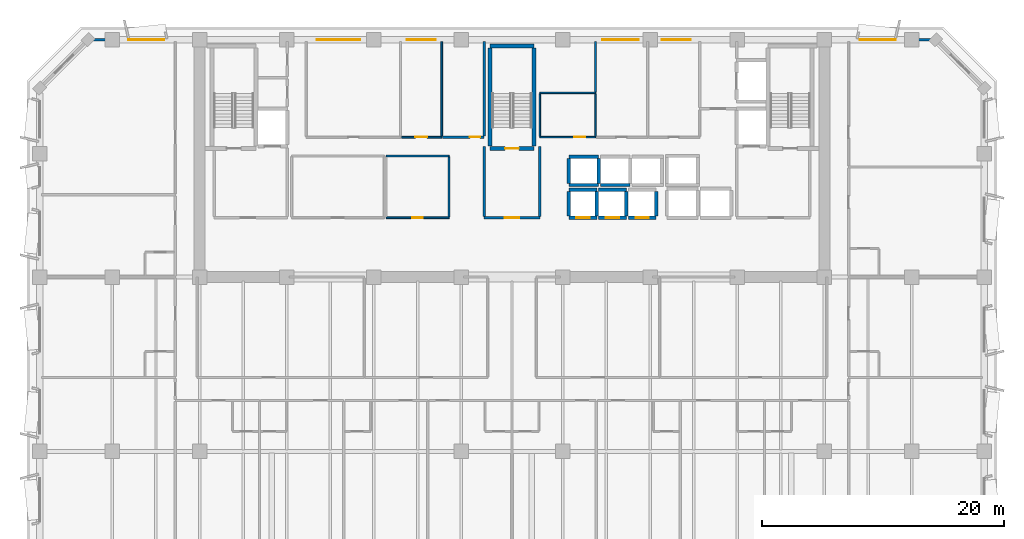
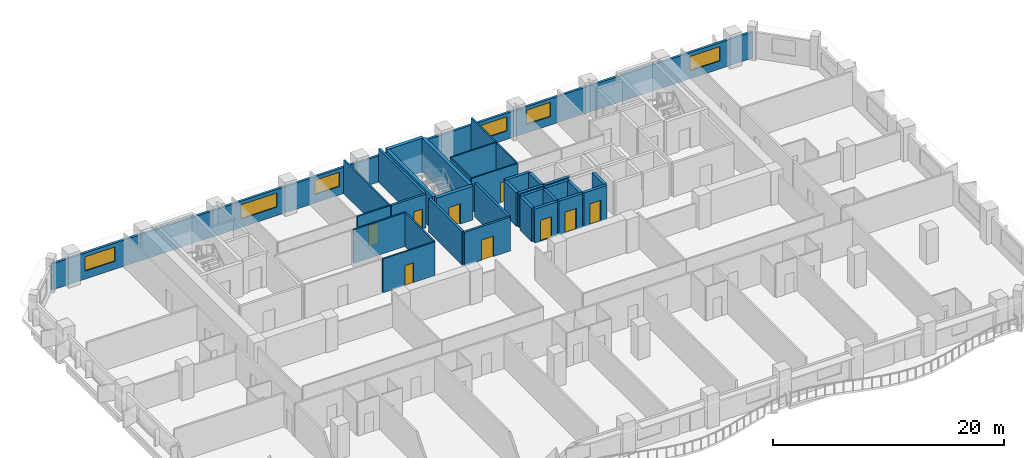
# One storey, part 7 of 14: 34 walls, 9 doors, 6 windows, 15 openings.
"""IFC4 building model written with IfcOpenShell, lengths in metres."""

import ifcopenshell
import ifcopenshell.guid

model = None  # the IFC model being written
_history = None  # IfcOwnerHistory: only IFC2X3 demands one
_inside = {}  # id of a spatial element -> (the spatial element, [elements in it])
_under = {}  # id of a project, library or spatial element -> (it, [spatial elements below it])
_declared = {}  # id of a project -> (the project, [libraries it declares])
_typed = {}  # id of a type object -> (the type object, [elements of that type])
_made_of = {}  # id of a material, layer set ... -> (it, [elements and type objects made of it])


def new_model(schema):
    """Start an empty IFC model of exactly this schema.

    Asked for "IFC4X3", IfcOpenShell would pick the latest addendum, in which some entities
    have other attributes; the version numbers below select the first issue.
    IFC2X3 requires an IfcOwnerHistory on every rooted entity: one is made here for all.
    """
    global model, _history
    if schema == "IFC4X3":
        model = ifcopenshell.file(schema_version=(4, 3, 0, 0))
    else:
        model = ifcopenshell.file(schema=schema)
    _inside.clear()
    _under.clear()
    _declared.clear()
    _typed.clear()
    _made_of.clear()
    _history = None
    if model.schema == "IFC2X3":
        org = make("IfcOrganization", Name="unknown")
        user = make(
            "IfcPersonAndOrganization",
            ThePerson=make("IfcPerson", FamilyName="unknown"),
            TheOrganization=org,
        )
        app = make(
            "IfcApplication",
            ApplicationDeveloper=org,
            Version="unknown",
            ApplicationFullName="unknown",
            ApplicationIdentifier="unknown",
        )
        _history = make(
            "IfcOwnerHistory",
            OwningUser=user,
            OwningApplication=app,
            ChangeAction="ADDED",
            CreationDate=0,
        )
    return model


def make(cls, **values):
    """One entity of the class cls with the attributes given. An attribute that is None is left unset."""
    return model.create_entity(
        cls, **{name: value for name, value in values.items() if value is not None}
    )


def rooted(cls, **values):
    """An entity with a GlobalId (a new one), such as an element, a storey or a relation."""
    return make(cls, GlobalId=ifcopenshell.guid.new(), OwnerHistory=_history, **values)


def si_unit(unit_type, name, prefix=None):
    """IfcSIUnit, for example si_unit("LENGTHUNIT", "METRE", prefix="MILLI")."""
    return make("IfcSIUnit", UnitType=unit_type, Prefix=prefix, Name=name)


def assignment(units):
    """IfcUnitAssignment: the units of a project."""
    return None if units is None else make("IfcUnitAssignment", Units=units)


def point(xyz):
    """IfcCartesianPoint."""
    return None if xyz is None else make("IfcCartesianPoint", Coordinates=xyz)


def direction(xyz):
    """IfcDirection."""
    return None if xyz is None else make("IfcDirection", DirectionRatios=xyz)


def frame(location, z_axis=None, x_axis=None):
    """IfcAxis2Placement3D, a coordinate frame: its origin and axes. An axis left out is left unset."""
    return make(
        "IfcAxis2Placement3D",
        Location=point(location),
        Axis=direction(z_axis),
        RefDirection=direction(x_axis),
    )


def frame_2d(location, x_axis=None):
    """IfcAxis2Placement2D, a coordinate frame in the plane: its origin and x axis."""
    return make(
        "IfcAxis2Placement2D", Location=point(location), RefDirection=direction(x_axis)
    )


def origin():
    """The frame at (0, 0, 0) with its axes left unset."""
    return frame((0.0, 0.0, 0.0))


def place(relative_to, where):
    """IfcLocalPlacement: puts the frame where relative to a parent placement (None: the world)."""
    return make(
        "IfcLocalPlacement", PlacementRelTo=relative_to, RelativePlacement=where
    )


def context(
    kind, dimensions, precision=None, world=None, true_north=None, identifier=None
):
    """IfcGeometricRepresentationContext, for example the 3D "Model" context."""
    return make(
        "IfcGeometricRepresentationContext",
        ContextIdentifier=identifier,
        ContextType=kind,
        CoordinateSpaceDimension=dimensions,
        Precision=precision,
        WorldCoordinateSystem=world,
        TrueNorth=true_north,
    )


def subcontext(parent, identifier, kind, view, scale=None):
    """IfcGeometricRepresentationSubContext, for example "Body" below "Model"."""
    return make(
        "IfcGeometricRepresentationSubContext",
        ContextIdentifier=identifier,
        ContextType=kind,
        ParentContext=parent,
        TargetScale=scale,
        TargetView=view,
    )


def project(units=None, contexts=None):
    """IfcProject with its units and contexts."""
    return rooted(
        "IfcProject",
        Name="project",
        RepresentationContexts=contexts,
        UnitsInContext=assignment(units),
    )


def spatial(cls, under=None, at=None, **own):
    """A site, building, storey or space (cls), placed at a placement, below another one or the project."""
    s = rooted(cls, ObjectPlacement=at, **own)
    if under is not None:
        _under.setdefault(under.id(), (under, []))[1].append(s)
    return s


def profile(cls, at=None, kind="AREA", **sizes):
    """A parametric profile (cls). Its sizes go by their IFC names, for example OverallWidth=200.0."""
    return make(cls, ProfileType=kind, Position=at, **sizes)


def rectangle(**sizes):
    """IfcRectangleProfileDef."""
    return profile("IfcRectangleProfileDef", **sizes)


def extrude(swept, where, along, depth):
    """IfcExtrudedAreaSolid: the profile swept, set in the frame where, extruded along a direction by depth."""
    return make(
        "IfcExtrudedAreaSolid",
        SweptArea=swept,
        Position=where,
        ExtrudedDirection=direction(along),
        Depth=depth,
    )


def shape(context_of_items, identifier, shape_type, items):
    """IfcShapeRepresentation: the items that make up one representation, for example the "Body"."""
    return make(
        "IfcShapeRepresentation",
        ContextOfItems=context_of_items,
        RepresentationIdentifier=identifier,
        RepresentationType=shape_type,
        Items=items,
    )


def material(Name=None, Category=None):
    """IfcMaterial."""
    return make("IfcMaterial", Name=Name, Category=Category)


def layer(
    of_material, thickness, ventilated=None, Name=None, Category=None, Priority=None
):
    """IfcMaterialLayer: one layer of a wall or slab, of a material (None: an air gap)."""
    return make(
        "IfcMaterialLayer",
        Material=of_material,
        LayerThickness=thickness,
        IsVentilated=ventilated,
        Name=Name,
        Category=Category,
        Priority=Priority,
    )


def layer_set(layers, Name=None):
    """IfcMaterialLayerSet."""
    return make("IfcMaterialLayerSet", MaterialLayers=layers, LayerSetName=Name)


def made_of(thing, what):
    """Note that an element or type object is made of a material, layer set ...; save() writes the relation."""
    if what is not None:
        _made_of.setdefault(what.id(), (what, []))[1].append(thing)
    return thing


def type_object(cls, material=None, **own):
    """A type object (cls), such as IfcWallType, which elements share."""
    return made_of(rooted(cls, **own), material)


def element(
    cls,
    number,
    at=None,
    inside=None,
    cuts=None,
    type_object=None,
    material=None,
    context=None,
    identifier="Body",
    shape_type=None,
    held_by="IfcProductDefinitionShape",
    body=None,
    shapes=None,
    **own,
):
    """One element of the class cls, such as IfcWall. Its Tag is "e" and its number.

    at: its placement. inside: the storey or other place that contains it. cuts: it is an
    opening in that element (IfcRelVoidsElement). A single representation is given by context,
    identifier, shape_type and body (its items); several are given by shapes. held_by: the class
    of the entity that holds the representations. save() writes the other relations.
    """
    e = rooted(cls, Tag="e%d" % number, ObjectPlacement=at, **own)
    if body is not None:
        shapes = [shape(context, identifier, shape_type, body)]
    if shapes is not None:
        e.Representation = make(held_by, Representations=shapes)
    if inside is not None:
        _inside.setdefault(inside.id(), (inside, []))[1].append(e)
    if cuts is not None:
        rooted(
            "IfcRelVoidsElement", RelatingBuildingElement=cuts, RelatedOpeningElement=e
        )
    if type_object is not None:
        _typed.setdefault(type_object.id(), (type_object, []))[1].append(e)
    return made_of(e, material)


def fill(opening, filler):
    """IfcRelFillsElement: the door or window that sits in an opening."""
    return rooted(
        "IfcRelFillsElement",
        RelatingOpeningElement=opening,
        RelatedBuildingElement=filler,
    )


def aggregate(whole, parts):
    """IfcRelAggregates: a whole, such as a stair, and the parts it consists of."""
    return rooted("IfcRelAggregates", RelatingObject=whole, RelatedObjects=parts)


def save(model, path):
    """Write the relations noted so far, then the file.

    IfcRelAggregates (storeys below a building ...), IfcRelContainedInSpatialStructure (elements
    in a storey), IfcRelDefinesByType, IfcRelAssociatesMaterial and IfcRelDeclares: one each for
    every whole, place, type object, material and project.
    """
    for whole, parts in _under.values():
        aggregate(whole, parts)
    for where, things in _inside.values():
        rooted(
            "IfcRelContainedInSpatialStructure",
            RelatedElements=things,
            RelatingStructure=where,
        )
    for kind, things in _typed.values():
        rooted("IfcRelDefinesByType", RelatedObjects=things, RelatingType=kind)
    for what, things in _made_of.values():
        rooted("IfcRelAssociatesMaterial", RelatedObjects=things, RelatingMaterial=what)
    for by, libraries in _declared.values():
        rooted("IfcRelDeclares", RelatingContext=by, RelatedDefinitions=libraries)
    model.write(path)


model = new_model("IFC4")

# Units and contexts
model_context = context("Model", 3, precision=1e-05, world=origin(), true_north=direction((0.0, 1.0)))
body_context = subcontext(model_context, "Body", "Model", "MODEL_VIEW")
ifc_project = project(units=[si_unit("LENGTHUNIT", "METRE"), si_unit("AREAUNIT", "SQUARE_METRE"), si_unit("VOLUMEUNIT", "CUBIC_METRE"), si_unit("PLANEANGLEUNIT", "RADIAN"), si_unit("MASSUNIT", "GRAM", prefix="KILO")], contexts=[model_context])

# Site, building, storey
site_placement = place(None, origin())
site = spatial("IfcSite", under=ifc_project, at=site_placement, CompositionType="ELEMENT")
building_placement = place(site_placement, origin())
building = spatial("IfcBuilding", under=site, at=building_placement, Name="Kaelvorn Grand Hotel", CompositionType="ELEMENT")
storey_placement = place(building_placement, frame((0.0, 0.0, 169.550048828125)))
storey = spatial("IfcBuildingStorey", under=building, at=storey_placement, Name="L41", CompositionType="ELEMENT", Elevation=169.550048828125)

# Wall, openings, windows
ifc_material_1 = material(Name="Concrete C40/50", Category="concrete")
ifc_layer_1 = layer(ifc_material_1, 0.239990234375)
ifc_layer_set_1 = layer_set([ifc_layer_1], Name="Concrete C40/50")
wall_type_1 = type_object("IfcWallType", Name="WL-EXT-240-C40", PredefinedType="SOLIDWALL", material=ifc_layer_set_1)
wall_1_placement = place(storey_placement, frame((77.0, 49.0, 0.0), z_axis=(0.0, 0.0, 1.0), x_axis=(-1.0, 0.0, 0.0)))
wall_1 = element("IfcWall", 1, at=wall_1_placement, inside=storey, type_object=wall_type_1, Name="L41 Exterior Architectural Concrete Wall 05", PredefinedType="SOLIDWALL", context=body_context, shape_type="SweptSolid", body=[
    extrude(rectangle(XDim=70.0, YDim=0.239990234375, at=frame_2d((35.0, 0.0))), origin(), (0.0, 0.0, 1.0), 2.760009765625),
])
opening_1_placement = place(wall_1_placement, frame((63.699951171875, 0.0, 0.85009765625)))
opening_1 = element("IfcOpeningElement", 2, at=opening_1_placement, cuts=wall_1, Name="Opening W5", PredefinedType="OPENING", context=body_context, shape_type="SweptSolid", body=[
    extrude(rectangle(XDim=3.0, YDim=1.5, at=frame_2d((1.5, 0.75))), frame((0.0, 0.1298828125, 0.0), z_axis=(0.0, -1.0, 0.0), x_axis=(1.0, 0.0, 0.0)), (0.0, 0.0, 1.0), 0.260009765625),
])
opening_2_placement = place(wall_1_placement, frame((3.300048828125, 0.0, 0.85009765625)))
opening_2 = element("IfcOpeningElement", 3, at=opening_2_placement, cuts=wall_1, Name="Opening W5", PredefinedType="OPENING", context=body_context, shape_type="SweptSolid", body=[
    extrude(rectangle(XDim=3.0, YDim=1.5, at=frame_2d((1.5, 0.75))), frame((0.0, 0.1298828125, 0.0), z_axis=(0.0, -1.0, 0.0), x_axis=(1.0, 0.0, 0.0)), (0.0, 0.0, 1.0), 0.260009765625),
])
opening_3_placement = place(wall_1_placement, frame((47.514892578125, 0.0, 0.89990234375)))
opening_3 = element("IfcOpeningElement", 4, at=opening_3_placement, cuts=wall_1, Name="Opening W3", PredefinedType="OPENING", context=body_context, shape_type="SweptSolid", body=[
    extrude(rectangle(XDim=3.60009765625, YDim=1.5, at=frame_2d((1.800048828125, 0.75))), frame((0.0, 0.1298828125, 0.0), z_axis=(0.0, -1.0, 0.0), x_axis=(1.0, 0.0, 0.0)), (0.0, 0.0, 1.0), 0.260009765625),
])
opening_4_placement = place(wall_1_placement, frame((41.300048828125, 0.0, 0.89990234375)))
opening_4 = element("IfcOpeningElement", 5, at=opening_4_placement, cuts=wall_1, Name="Opening W6", PredefinedType="OPENING", context=body_context, shape_type="SweptSolid", body=[
    extrude(rectangle(XDim=2.39990234375, YDim=1.5, at=frame_2d((1.199951171875, 0.75))), frame((0.0, 0.1298828125, 0.0), z_axis=(0.0, -1.0, 0.0), x_axis=(1.0, 0.0, 0.0)), (0.0, 0.0, 1.0), 0.260009765625),
])
opening_5_placement = place(wall_1_placement, frame((24.550048828125, 0.0, 0.89990234375)))
opening_5 = element("IfcOpeningElement", 6, at=opening_5_placement, cuts=wall_1, Name="Opening W5", PredefinedType="OPENING", context=body_context, shape_type="SweptSolid", body=[
    extrude(rectangle(XDim=3.0, YDim=1.5, at=frame_2d((1.5, 0.75))), frame((0.0, 0.1298828125, 0.0), z_axis=(0.0, -1.0, 0.0), x_axis=(1.0, 0.0, 0.0)), (0.0, 0.0, 1.0), 0.260009765625),
])
opening_6_placement = place(wall_1_placement, frame((20.235107421875, 0.0, 0.89990234375)))
opening_6 = element("IfcOpeningElement", 7, at=opening_6_placement, cuts=wall_1, Name="Opening W6", PredefinedType="OPENING", context=body_context, shape_type="SweptSolid", body=[
    extrude(rectangle(XDim=2.39990234375, YDim=1.5, at=frame_2d((1.199951171875, 0.75))), frame((0.0, 0.1298828125, 0.0), z_axis=(0.0, -1.0, 0.0), x_axis=(1.0, 0.0, 0.0)), (0.0, 0.0, 1.0), 0.260009765625),
])
ifc_material_2 = material(Name="Laminated Low-E Glass", Category="glass")
window_type_1 = type_object("IfcWindowType", Name="WIN-NTH-2400x1500", PartitioningType="SINGLE_PANEL", PredefinedType="WINDOW", material=ifc_material_2)
window_1_placement = place(opening_4_placement, origin())
window_1 = element("IfcWindow", 8, at=window_1_placement, inside=storey, type_object=window_type_1, Name="L41 North Core Clerestory Ribbon Window NC04", OverallHeight=1.5, OverallWidth=2.39990234375, PartitioningType="SINGLE_PANEL", PredefinedType="WINDOW", context=body_context, shape_type="SweptSolid", body=[
    extrude(rectangle(XDim=2.39990234375, YDim=1.5, at=frame_2d((1.199951171875, 0.75))), frame((0.0, 0.030029296875, 0.0), z_axis=(0.0, -1.0, 0.0), x_axis=(1.0, 0.0, 0.0)), (0.0, 0.0, 1.0), 0.06005859375),
])
fill(opening_4, window_1)
window_2_placement = place(opening_6_placement, origin())
window_2 = element("IfcWindow", 9, at=window_2_placement, inside=storey, type_object=window_type_1, Name="L41 North Core Clerestory Ribbon Window NC06", OverallHeight=1.5, OverallWidth=2.39990234375, PartitioningType="SINGLE_PANEL", PredefinedType="WINDOW", context=body_context, shape_type="SweptSolid", body=[
    extrude(rectangle(XDim=2.39990234375, YDim=1.5, at=frame_2d((1.199951171875, 0.75))), frame((0.0, 0.030029296875, 0.0), z_axis=(0.0, -1.0, 0.0), x_axis=(1.0, 0.0, 0.0)), (0.0, 0.0, 1.0), 0.06005859375),
])
fill(opening_6, window_2)
window_type_2 = type_object("IfcWindowType", Name="WIN-NTH-3000x1500", PartitioningType="SINGLE_PANEL", PredefinedType="WINDOW", material=ifc_material_2)
window_3_placement = place(opening_1_placement, origin())
window_3 = element("IfcWindow", 10, at=window_3_placement, inside=storey, type_object=window_type_2, Name="L41 North Wing Ribbon Window NW01", OverallHeight=1.5, OverallWidth=3.0, PartitioningType="SINGLE_PANEL", PredefinedType="WINDOW", context=body_context, shape_type="SweptSolid", body=[
    extrude(rectangle(XDim=3.0, YDim=1.5, at=frame_2d((1.5, 0.75))), frame((0.0, 0.030029296875, 0.0), z_axis=(0.0, -1.0, 0.0), x_axis=(1.0, 0.0, 0.0)), (0.0, 0.0, 1.0), 0.06005859375),
])
fill(opening_1, window_3)
window_4_placement = place(opening_2_placement, origin())
window_4 = element("IfcWindow", 11, at=window_4_placement, inside=storey, type_object=window_type_2, Name="L41 North Wing Ribbon Window NW02", OverallHeight=1.5, OverallWidth=3.0, PartitioningType="SINGLE_PANEL", PredefinedType="WINDOW", context=body_context, shape_type="SweptSolid", body=[
    extrude(rectangle(XDim=3.0, YDim=1.5, at=frame_2d((1.5, 0.75))), frame((0.0, 0.030029296875, 0.0), z_axis=(0.0, -1.0, 0.0), x_axis=(1.0, 0.0, 0.0)), (0.0, 0.0, 1.0), 0.06005859375),
])
fill(opening_2, window_4)
window_5_placement = place(opening_5_placement, origin())
window_5 = element("IfcWindow", 12, at=window_5_placement, inside=storey, type_object=window_type_2, Name="L41 North Core Clerestory Ribbon Window NC05", OverallHeight=1.5, OverallWidth=3.0, PartitioningType="SINGLE_PANEL", PredefinedType="WINDOW", context=body_context, shape_type="SweptSolid", body=[
    extrude(rectangle(XDim=3.0, YDim=1.5, at=frame_2d((1.5, 0.75))), frame((0.0, 0.030029296875, 0.0), z_axis=(0.0, -1.0, 0.0), x_axis=(1.0, 0.0, 0.0)), (0.0, 0.0, 1.0), 0.06005859375),
])
fill(opening_5, window_5)
window_type_3 = type_object("IfcWindowType", Name="WIN-RIB-3600x1750", PartitioningType="SINGLE_PANEL", PredefinedType="WINDOW", material=ifc_material_2)
window_6_placement = place(opening_3_placement, origin())
window_6 = element("IfcWindow", 13, at=window_6_placement, inside=storey, type_object=window_type_3, Name="L41 North Core Clerestory Ribbon Window NC03", OverallHeight=1.5, OverallWidth=3.60009765625, PartitioningType="SINGLE_PANEL", PredefinedType="WINDOW", context=body_context, shape_type="SweptSolid", body=[
    extrude(rectangle(XDim=3.60009765625, YDim=1.5, at=frame_2d((1.800048828125, 0.75))), frame((0.0, 0.030029296875, 0.0), z_axis=(0.0, -1.0, 0.0), x_axis=(1.0, 0.0, 0.0)), (0.0, 0.0, 1.0), 0.06005859375),
])
fill(opening_3, window_6)

# Wall, opening, door
ifc_material_3 = material(Name="Moisture-Resistant Tile & Stud Board")
ifc_layer_2 = layer(ifc_material_3, 0.125)
ifc_layer_set_2 = layer_set([ifc_layer_2], Name="Moisture-Resistant Tile & Stud Board")
wall_type_2 = type_object("IfcWallType", Name="WL-PART-125-WET", PredefinedType="PARTITIONING", material=ifc_layer_set_2)
wall_2_placement = place(storey_placement, frame((44.300048828125, 40.949951171875, 0.0), z_axis=(0.0, 0.0, 1.0), x_axis=(1.0, 0.0, 0.0)))
wall_2 = element("IfcWall", 14, at=wall_2_placement, inside=storey, type_object=wall_type_2, Name="L41 Accessible WC S Partition", PredefinedType="PARTITIONING", context=body_context, shape_type="SweptSolid", body=[
    extrude(rectangle(XDim=4.599853515625, YDim=0.125, at=frame_2d((2.2998046875, 0.0))), origin(), (0.0, 0.0, 1.0), 3.56005859375),
])
opening_7_placement = place(wall_2_placement, frame((2.85009765625, 0.0, 0.0)))
opening_7 = element("IfcOpeningElement", 15, at=opening_7_placement, cuts=wall_2, Name="Opening DI4", PredefinedType="OPENING", context=body_context, shape_type="SweptSolid", body=[
    extrude(rectangle(XDim=0.89990234375, YDim=2.10009765625, at=frame_2d((0.449951171875, 1.050048828125))), frame((0.0, 0.072509765625, 0.0), z_axis=(0.0, -1.0, 0.0), x_axis=(1.0, 0.0, 0.0)), (0.0, 0.0, 1.0), 0.14501953125),
])
ifc_material_4 = material(Name="Timber Veneer Leaf", Category="wood")
door_type_1 = type_object("IfcDoorType", Name="DR-INT-BATH-900x2100", OperationType="NOTDEFINED", PredefinedType="DOOR", material=ifc_material_4)
door_1_placement = place(opening_7_placement, origin())
door_1 = element("IfcDoor", 16, at=door_1_placement, inside=storey, type_object=door_type_1, Name="L41 Accessible WC Door", OperationType="SINGLE_SWING_RIGHT", OverallHeight=2.10009765625, OverallWidth=0.89990234375, PredefinedType="DOOR", context=body_context, shape_type="SweptSolid", body=[
    extrude(rectangle(XDim=0.89990234375, YDim=2.10009765625, at=frame_2d((0.449951171875, 1.050048828125))), frame((0.0, 0.02490234375, 0.0), z_axis=(0.0, -1.0, 0.0), x_axis=(1.0, 0.0, 0.0)), (0.0, 0.0, 1.0), 0.050048828125),
])
fill(opening_7, door_1)

# Walls
wall_3_placement = place(storey_placement, frame((44.300048828125, 44.60009765625, 0.0), z_axis=(0.0, 0.0, 1.0), x_axis=(1.0, 0.0, 0.0)))
element("IfcWall", 17, at=wall_3_placement, inside=storey, type_object=wall_type_2, Name="L41 Accessible WC N Partition", PredefinedType="PARTITIONING", context=body_context, shape_type="SweptSolid", body=[
    extrude(rectangle(XDim=4.599853515625, YDim=0.125, at=frame_2d((2.2998046875, 0.0))), origin(), (0.0, 0.0, 1.0), 3.56005859375),
])
for number, where, z_axis, x_axis, name in (
    (18, (44.300048828125, 41.017578125, 0.0), (0.0, 0.0, 1.0), (0.0, 1.0, 0.0), "L41 Accessible WC W Partition"),
    (19, (48.89990234375, 41.017578125, 0.0), (0.0, 0.0, 1.0), (0.0, 1.0, 0.0), "L41 Accessible WC E Partition"),
):
    element("IfcWall", number, at=place(storey_placement, frame(where, z_axis=z_axis, x_axis=x_axis)), inside=storey, type_object=wall_type_2, Name=name, PredefinedType="PARTITIONING", context=body_context, shape_type="SweptSolid", body=[
        extrude(rectangle(XDim=3.514892578125, YDim=0.125, at=frame_2d((1.75732421875, 0.0))), origin(), (0.0, 0.0, 1.0), 3.56005859375),
    ])

# Wall, opening, door
ifc_material_5 = material(Name="Acoustic Gypsum & Stud Partition")
ifc_layer_3 = layer(ifc_material_5, 0.14990234375)
ifc_layer_set_3 = layer_set([ifc_layer_3], Name="Acoustic Gypsum & Stud Partition")
wall_type_3 = type_object("IfcWallType", Name="WL-PART-150-EI60", PredefinedType="PARTITIONING", material=ifc_layer_set_3)
wall_4_placement = place(storey_placement, frame((31.60009765625, 34.300048828125, 0.0), z_axis=(0.0, 0.0, 1.0), x_axis=(1.0, 0.0, 0.0)))
wall_4 = element("IfcWall", 20, at=wall_4_placement, inside=storey, type_object=wall_type_3, Name="L41 Core Telecoms & BMS Server Room S Partition", PredefinedType="PARTITIONING", context=body_context, shape_type="SweptSolid", body=[
    extrude(rectangle(XDim=5.199951171875, YDim=0.14990234375, at=frame_2d((2.60009765625, 0.0))), origin(), (0.0, 0.0, 1.0), 3.56005859375),
])
opening_8_placement = place(wall_4_placement, frame((2.175048828125, 0.0, 0.0)))
opening_8 = element("IfcOpeningElement", 21, at=opening_8_placement, cuts=wall_4, Name="Opening DI7", PredefinedType="OPENING", context=body_context, shape_type="SweptSolid", body=[
    extrude(rectangle(XDim=0.85009765625, YDim=2.10009765625, at=frame_2d((0.425048828125, 1.050048828125))), frame((0.0, 0.0849609375, 0.0), z_axis=(0.0, -1.0, 0.0), x_axis=(1.0, 0.0, 0.0)), (0.0, 0.0, 1.0), 0.169921875),
])
ifc_material_6 = material(Name="Powder-Coated Steel Leaf", Category="steel")
door_type_2 = type_object("IfcDoorType", Name="DR-INT-RISER-850x2100", OperationType="NOTDEFINED", PredefinedType="DOOR", material=ifc_material_6)
door_2_placement = place(opening_8_placement, origin())
door_2 = element("IfcDoor", 22, at=door_2_placement, inside=storey, type_object=door_type_2, Name="L41 Core Telecoms & BMS Server Room Door", OperationType="SINGLE_SWING_LEFT", OverallHeight=2.10009765625, OverallWidth=0.85009765625, PredefinedType="DOOR", context=body_context, shape_type="SweptSolid", body=[
    extrude(rectangle(XDim=0.85009765625, YDim=2.10009765625, at=frame_2d((0.425048828125, 1.050048828125))), frame((0.0, 0.02490234375, 0.0), z_axis=(0.0, -1.0, 0.0), x_axis=(1.0, 0.0, 0.0)), (0.0, 0.0, 1.0), 0.050048828125),
])
fill(opening_8, door_2)

# Walls
wall_5_placement = place(storey_placement, frame((31.60009765625, 39.39990234375, 0.0), z_axis=(0.0, 0.0, 1.0), x_axis=(1.0, 0.0, 0.0)))
element("IfcWall", 23, at=wall_5_placement, inside=storey, type_object=wall_type_3, Name="L41 Core Telecoms & BMS Server Room N Partition", PredefinedType="PARTITIONING", context=body_context, shape_type="SweptSolid", body=[
    extrude(rectangle(XDim=5.199951171875, YDim=0.14990234375, at=frame_2d((2.60009765625, 0.0))), origin(), (0.0, 0.0, 1.0), 3.56005859375),
])
wall_6_placement = place(storey_placement, frame((36.800048828125, 34.3798828125, 0.0), z_axis=(0.0, 0.0, 1.0), x_axis=(0.0, 1.0, 0.0)))
element("IfcWall", 24, at=wall_6_placement, inside=storey, type_object=wall_type_3, Name="L41 Core Telecoms & BMS Server Room E Partition", PredefinedType="PARTITIONING", context=body_context, shape_type="SweptSolid", body=[
    extrude(rectangle(XDim=4.940185546875, YDim=0.14990234375, at=frame_2d((2.47021484375, 0.0))), origin(), (0.0, 0.0, 1.0), 3.56005859375),
])

# Wall, opening, door
wall_7_placement = place(storey_placement, frame((32.8798828125, 40.949951171875, 0.0), z_axis=(0.0, 0.0, 1.0), x_axis=(1.0, 0.0, 0.0)))
wall_7 = element("IfcWall", 25, at=wall_7_placement, inside=storey, type_object=wall_type_3, Name="L41 Floor Butler Tea Point S Partition", PredefinedType="PARTITIONING", context=body_context, shape_type="SweptSolid", body=[
    extrude(rectangle(XDim=3.320068359375, YDim=0.14990234375, at=frame_2d((1.66015625, 0.0))), origin(), (0.0, 0.0, 1.0), 3.56005859375),
])
opening_9_placement = place(wall_7_placement, frame((1.1201171875, 0.0, 0.0)))
opening_9 = element("IfcOpeningElement", 26, at=opening_9_placement, cuts=wall_7, Name="Opening DI3", PredefinedType="OPENING", context=body_context, shape_type="SweptSolid", body=[
    extrude(rectangle(XDim=1.0, YDim=2.14990234375, at=frame_2d((0.5, 1.074951171875))), frame((0.0, 0.0849609375, 0.0), z_axis=(0.0, -1.0, 0.0), x_axis=(1.0, 0.0, 0.0)), (0.0, 0.0, 1.0), 0.169921875),
])
ifc_material_7 = material(Name="Timber Veneer Fire Leaf", Category="wood")
door_type_3 = type_object("IfcDoorType", Name="DR-INT-GUEST-1000x2150", OperationType="NOTDEFINED", PredefinedType="DOOR", material=ifc_material_7)
door_3_placement = place(opening_9_placement, origin())
door_3 = element("IfcDoor", 27, at=door_3_placement, inside=storey, type_object=door_type_3, Name="L41 Floor Butler Tea Point Door", OperationType="SINGLE_SWING_RIGHT", OverallHeight=2.14990234375, OverallWidth=1.0, PredefinedType="DOOR", context=body_context, shape_type="SweptSolid", body=[
    extrude(rectangle(XDim=1.0, YDim=2.14990234375, at=frame_2d((0.5, 1.074951171875))), frame((0.0, 0.02490234375, 0.0), z_axis=(0.0, -1.0, 0.0), x_axis=(1.0, 0.0, 0.0)), (0.0, 0.0, 1.0), 0.050048828125),
])
fill(opening_9, door_3)

# Walls
wall_8_placement = place(storey_placement, frame((36.199951171875, 41.030029296875, 0.0), z_axis=(0.0, 0.0, 1.0), x_axis=(0.0, 1.0, 0.0)))
element("IfcWall", 28, at=wall_8_placement, inside=storey, type_object=wall_type_3, Name="L41 Floor Butler Tea Point E Partition", PredefinedType="PARTITIONING", context=body_context, shape_type="SweptSolid", body=[
    extrude(rectangle(XDim=7.820068359375, YDim=0.14990234375, at=frame_2d((3.91015625, 0.0))), origin(), (0.0, 0.0, 1.0), 3.56005859375),
])
wall_9_placement = place(storey_placement, frame((48.89990234375, 44.66748046875, 0.0), z_axis=(0.0, 0.0, 1.0), x_axis=(0.0, 1.0, 0.0)))
element("IfcWall", 29, at=wall_9_placement, inside=storey, type_object=wall_type_3, Name="L41 Minibar & Glassware Store W Partition", PredefinedType="PARTITIONING", context=body_context, shape_type="SweptSolid", body=[
    extrude(rectangle(XDim=4.1826171875, YDim=0.14990234375, at=frame_2d((2.09130859375, 0.0))), origin(), (0.0, 0.0, 1.0), 3.56005859375),
])

# Wall, opening, door
ifc_layer_4 = layer(ifc_material_1, 0.219970703125)
ifc_layer_set_4 = layer_set([ifc_layer_4], Name="Concrete C40/50")
wall_type_4 = type_object("IfcWallType", Name="WL-PART-220-EI120", PredefinedType="PARTITIONING", material=ifc_layer_set_4)
wall_10_placement = place(storey_placement, frame((39.699951171875, 34.300048828125, 0.0), z_axis=(0.0, 0.0, 1.0), x_axis=(1.0, 0.0, 0.0)))
wall_10 = element("IfcWall", 30, at=wall_10_placement, inside=storey, type_object=wall_type_4, Name="L41 Central Stair Escape Vestibule S Partition", PredefinedType="PARTITIONING", context=body_context, shape_type="SweptSolid", body=[
    extrude(rectangle(XDim=4.60009765625, YDim=0.219970703125, at=frame_2d((2.300048828125, 0.0))), origin(), (0.0, 0.0, 1.0), 3.56005859375),
])
opening_10_placement = place(wall_10_placement, frame((1.699951171875, 0.0, 0.0)))
opening_10 = element("IfcOpeningElement", 31, at=opening_10_placement, cuts=wall_10, Name="Opening DI2", PredefinedType="OPENING", context=body_context, shape_type="SweptSolid", body=[
    extrude(rectangle(XDim=1.199951171875, YDim=2.14990234375, at=frame_2d((0.60009765625, 1.074951171875))), frame((0.0, 0.1201171875, 0.0), z_axis=(0.0, -1.0, 0.0), x_axis=(1.0, 0.0, 0.0)), (0.0, 0.0, 1.0), 0.239990234375),
])
door_type_4 = type_object("IfcDoorType", Name="DR-INT-FFLOB-1200x2150", OperationType="NOTDEFINED", PredefinedType="DOOR", material=ifc_material_7)
door_4_placement = place(opening_10_placement, origin())
door_4 = element("IfcDoor", 32, at=door_4_placement, inside=storey, type_object=door_type_4, Name="L41 Central Stair Escape Vestibule Door", OperationType="SINGLE_SWING_LEFT", OverallHeight=2.14990234375, OverallWidth=1.199951171875, PredefinedType="DOOR", context=body_context, shape_type="SweptSolid", body=[
    extrude(rectangle(XDim=1.199951171875, YDim=2.14990234375, at=frame_2d((0.60009765625, 1.074951171875))), frame((0.0, 0.02490234375, 0.0), z_axis=(0.0, -1.0, 0.0), x_axis=(1.0, 0.0, 0.0)), (0.0, 0.0, 1.0), 0.050048828125),
])
fill(opening_10, door_4)

# Walls
for number, where, z_axis, x_axis, name in (
    (33, (39.699951171875, 34.4150390625, 0.0), (0.0, 0.0, 1.0), (0.0, 1.0, 0.0), "L41 Central Stair Escape Vestibule W Partition"),
    (34, (44.300048828125, 34.4150390625, 0.0), (0.0, 0.0, 1.0), (0.0, 1.0, 0.0), "L41 Central Stair Escape Vestibule E Partition"),
):
    element("IfcWall", number, at=place(storey_placement, frame(where, z_axis=z_axis, x_axis=x_axis)), inside=storey, type_object=wall_type_4, Name=name, PredefinedType="PARTITIONING", context=body_context, shape_type="SweptSolid", body=[
        extrude(rectangle(XDim=5.784912109375, YDim=0.219970703125, at=frame_2d((2.892578125, 0.0))), origin(), (0.0, 0.0, 1.0), 3.56005859375),
    ])

# Wall, opening, door
wall_11_placement = place(storey_placement, frame((36.280029296875, 40.949951171875, 0.0), z_axis=(0.0, 0.0, 1.0), x_axis=(1.0, 0.0, 0.0)))
wall_11 = element("IfcWall", 35, at=wall_11_placement, inside=storey, type_object=wall_type_4, Name="L41 LV Electrical & Metering Room S Partition", PredefinedType="PARTITIONING", context=body_context, shape_type="SweptSolid", body=[
    extrude(rectangle(XDim=3.419921875, YDim=0.219970703125, at=frame_2d((1.7099609375, 0.0))), origin(), (0.0, 0.0, 1.0), 3.56005859375),
])
opening_11_placement = place(wall_11_placement, frame((2.2451171875, 0.0, 0.0)))
opening_11 = element("IfcOpeningElement", 36, at=opening_11_placement, cuts=wall_11, Name="Opening DI7", PredefinedType="OPENING", context=body_context, shape_type="SweptSolid", body=[
    extrude(rectangle(XDim=0.85009765625, YDim=2.10009765625, at=frame_2d((0.425048828125, 1.050048828125))), frame((0.0, 0.1201171875, 0.0), z_axis=(0.0, -1.0, 0.0), x_axis=(1.0, 0.0, 0.0)), (0.0, 0.0, 1.0), 0.239990234375),
])
door_5_placement = place(opening_11_placement, origin())
door_5 = element("IfcDoor", 37, at=door_5_placement, inside=storey, type_object=door_type_2, Name="L41 LV Electrical & Metering Room Door", OperationType="SINGLE_SWING_LEFT", OverallHeight=2.10009765625, OverallWidth=0.85009765625, PredefinedType="DOOR", context=body_context, shape_type="SweptSolid", body=[
    extrude(rectangle(XDim=0.85009765625, YDim=2.10009765625, at=frame_2d((0.425048828125, 1.050048828125))), frame((0.0, 0.02490234375, 0.0), z_axis=(0.0, -1.0, 0.0), x_axis=(1.0, 0.0, 0.0)), (0.0, 0.0, 1.0), 0.050048828125),
])
fill(opening_11, door_5)

# Wall
wall_12_placement = place(storey_placement, frame((39.699951171875, 41.06494140625, 0.0), z_axis=(0.0, 0.0, 1.0), x_axis=(0.0, 1.0, 0.0)))
element("IfcWall", 38, at=wall_12_placement, inside=storey, type_object=wall_type_4, Name="L41 LV Electrical & Metering Room E Partition", PredefinedType="PARTITIONING", context=body_context, shape_type="SweptSolid", body=[
    extrude(rectangle(XDim=7.78515625, YDim=0.219970703125, at=frame_2d((3.892578125, 0.0))), origin(), (0.0, 0.0, 1.0), 3.56005859375),
])

# Wall, opening, door
ifc_material_8 = material(Name="Concrete C50/60", Category="concrete")
ifc_layer_5 = layer(ifc_material_8, 0.280029296875)
ifc_layer_set_5 = layer_set([ifc_layer_5], Name="Concrete C50/60")
wall_type_5 = type_object("IfcWallType", Name="WL-SHAFT-280-C50", PredefinedType="SHEAR", material=ifc_layer_set_5)
wall_13_placement = place(storey_placement, frame((46.699951171875, 34.300048828125, 0.0), z_axis=(0.0, 0.0, 1.0), x_axis=(1.0, 0.0, 0.0)))
wall_13 = element("IfcWall", 39, at=wall_13_placement, inside=storey, type_object=wall_type_5, Name="L41 Lift PL-M1 Shaft South Wall", PredefinedType="SHEAR", context=body_context, shape_type="SweptSolid", body=[
    extrude(rectangle(XDim=2.300048828125, YDim=0.280029296875, at=frame_2d((1.14990234375, 0.0))), origin(), (0.0, 0.0, 1.0), 3.56005859375),
])
opening_12_placement = place(wall_13_placement, frame((0.60009765625, 0.0, 0.0)))
opening_12 = element("IfcOpeningElement", 40, at=opening_12_placement, cuts=wall_13, Name="Opening LD-PL-M1", PredefinedType="OPENING", context=body_context, shape_type="SweptSolid", body=[
    extrude(rectangle(XDim=1.10009765625, YDim=2.199951171875, at=frame_2d((0.550048828125, 1.10009765625))), frame((0.0, 0.14990234375, 0.0), z_axis=(0.0, -1.0, 0.0), x_axis=(1.0, 0.0, 0.0)), (0.0, 0.0, 1.0), 0.300048828125),
])
ifc_material_9 = material(Name="Stainless Steel", Category="steel")
door_type_5 = type_object("IfcDoorType", Name="DR-LIFT-PASS-1100x2200", OperationType="DOUBLE_DOOR_SLIDING", PredefinedType="DOOR", material=ifc_material_9)
door_6_placement = place(opening_12_placement, origin())
door_6 = element("IfcDoor", 41, at=door_6_placement, inside=storey, type_object=door_type_5, Name="L41 Lift PL-M1 Sliding Landing Door LD-PL-M1", OperationType="DOUBLE_DOOR_SLIDING", OverallHeight=2.199951171875, OverallWidth=1.10009765625, PredefinedType="DOOR", context=body_context, shape_type="SweptSolid", body=[
    extrude(rectangle(XDim=1.10009765625, YDim=2.199951171875, at=frame_2d((0.550048828125, 1.10009765625))), frame((0.0, 0.02490234375, 0.0), z_axis=(0.0, -1.0, 0.0), x_axis=(1.0, 0.0, 0.0)), (0.0, 0.0, 1.0), 0.050048828125),
])
fill(opening_12, door_6)

# Walls
wall_14_placement = place(storey_placement, frame((46.699951171875, 36.60009765625, 0.0), z_axis=(0.0, 0.0, 1.0), x_axis=(1.0, 0.0, 0.0)))
element("IfcWall", 42, at=wall_14_placement, inside=storey, type_object=wall_type_5, Name="L41 Lift PL-M1 Shaft North Wall", PredefinedType="SHEAR", context=body_context, shape_type="SweptSolid", body=[
    extrude(rectangle(XDim=2.300048828125, YDim=0.280029296875, at=frame_2d((1.14990234375, 0.0))), origin(), (0.0, 0.0, 1.0), 3.56005859375),
])
for number, where, z_axis, x_axis, name in (
    (43, (46.699951171875, 34.445068359375, 0.0), (0.0, 0.0, 1.0), (0.0, 1.0, 0.0), "L41 Lift PL-M1 Shaft West Wall"),
    (44, (49.0, 34.445068359375, 0.0), (0.0, 0.0, 1.0), (0.0, 1.0, 0.0), "L41 Lift PL-M1 Shaft East Wall"),
):
    element("IfcWall", number, at=place(storey_placement, frame(where, z_axis=z_axis, x_axis=x_axis)), inside=storey, type_object=wall_type_5, Name=name, PredefinedType="SHEAR", context=body_context, shape_type="SweptSolid", body=[
        extrude(rectangle(XDim=2.010009765625, YDim=0.280029296875, at=frame_2d((1.0048828125, 0.0))), origin(), (0.0, 0.0, 1.0), 3.56005859375),
    ])

# Wall, opening, door
wall_15_placement = place(storey_placement, frame((49.14990234375, 34.300048828125, 0.0), z_axis=(0.0, 0.0, 1.0), x_axis=(1.0, 0.0, 0.0)))
wall_15 = element("IfcWall", 45, at=wall_15_placement, inside=storey, type_object=wall_type_5, Name="L41 Lift PL-M2 Shaft South Wall", PredefinedType="SHEAR", context=body_context, shape_type="SweptSolid", body=[
    extrude(rectangle(XDim=2.300048828125, YDim=0.280029296875, at=frame_2d((1.14990234375, 0.0))), origin(), (0.0, 0.0, 1.0), 3.56005859375),
])
opening_13_placement = place(wall_15_placement, frame((0.60009765625, 0.0, 0.0)))
opening_13 = element("IfcOpeningElement", 46, at=opening_13_placement, cuts=wall_15, Name="Opening LD-PL-M2", PredefinedType="OPENING", context=body_context, shape_type="SweptSolid", body=[
    extrude(rectangle(XDim=1.10009765625, YDim=2.199951171875, at=frame_2d((0.550048828125, 1.10009765625))), frame((0.0, 0.14990234375, 0.0), z_axis=(0.0, -1.0, 0.0), x_axis=(1.0, 0.0, 0.0)), (0.0, 0.0, 1.0), 0.300048828125),
])
door_7_placement = place(opening_13_placement, origin())
door_7 = element("IfcDoor", 47, at=door_7_placement, inside=storey, type_object=door_type_5, Name="L41 Lift PL-M2 Sliding Landing Door LD-PL-M2", OperationType="DOUBLE_DOOR_SLIDING", OverallHeight=2.199951171875, OverallWidth=1.10009765625, PredefinedType="DOOR", context=body_context, shape_type="SweptSolid", body=[
    extrude(rectangle(XDim=1.10009765625, YDim=2.199951171875, at=frame_2d((0.550048828125, 1.10009765625))), frame((0.0, 0.02490234375, 0.0), z_axis=(0.0, -1.0, 0.0), x_axis=(1.0, 0.0, 0.0)), (0.0, 0.0, 1.0), 0.050048828125),
])
fill(opening_13, door_7)

# Walls
wall_16_placement = place(storey_placement, frame((49.14990234375, 36.60009765625, 0.0), z_axis=(0.0, 0.0, 1.0), x_axis=(1.0, 0.0, 0.0)))
element("IfcWall", 48, at=wall_16_placement, inside=storey, type_object=wall_type_5, Name="L41 Lift PL-M2 Shaft North Wall", PredefinedType="SHEAR", context=body_context, shape_type="SweptSolid", body=[
    extrude(rectangle(XDim=2.300048828125, YDim=0.280029296875, at=frame_2d((1.14990234375, 0.0))), origin(), (0.0, 0.0, 1.0), 3.56005859375),
])
wall_17_placement = place(storey_placement, frame((51.449951171875, 34.445068359375, 0.0), z_axis=(0.0, 0.0, 1.0), x_axis=(0.0, 1.0, 0.0)))
element("IfcWall", 49, at=wall_17_placement, inside=storey, type_object=wall_type_5, Name="L41 Lift PL-M2 Shaft East Wall", PredefinedType="SHEAR", context=body_context, shape_type="SweptSolid", body=[
    extrude(rectangle(XDim=2.010009765625, YDim=0.280029296875, at=frame_2d((1.0048828125, 0.0))), origin(), (0.0, 0.0, 1.0), 3.56005859375),
])

# Wall, opening, door
wall_18_placement = place(storey_placement, frame((51.60009765625, 34.300048828125, 0.0), z_axis=(0.0, 0.0, 1.0), x_axis=(1.0, 0.0, 0.0)))
wall_18 = element("IfcWall", 50, at=wall_18_placement, inside=storey, type_object=wall_type_5, Name="L41 Lift PL-M3 Shaft South Wall", PredefinedType="SHEAR", context=body_context, shape_type="SweptSolid", body=[
    extrude(rectangle(XDim=2.2998046875, YDim=0.280029296875, at=frame_2d((1.14990234375, 0.0))), origin(), (0.0, 0.0, 1.0), 3.56005859375),
])
opening_14_placement = place(wall_18_placement, frame((0.60009765625, 0.0, 0.0)))
opening_14 = element("IfcOpeningElement", 51, at=opening_14_placement, cuts=wall_18, Name="Opening LD-PL-M3", PredefinedType="OPENING", context=body_context, shape_type="SweptSolid", body=[
    extrude(rectangle(XDim=1.10009765625, YDim=2.199951171875, at=frame_2d((0.550048828125, 1.10009765625))), frame((0.0, 0.14990234375, 0.0), z_axis=(0.0, -1.0, 0.0), x_axis=(1.0, 0.0, 0.0)), (0.0, 0.0, 1.0), 0.300048828125),
])
door_8_placement = place(opening_14_placement, origin())
door_8 = element("IfcDoor", 52, at=door_8_placement, inside=storey, type_object=door_type_5, Name="L41 Lift PL-M3 Sliding Landing Door LD-PL-M3", OperationType="DOUBLE_DOOR_SLIDING", OverallHeight=2.199951171875, OverallWidth=1.10009765625, PredefinedType="DOOR", context=body_context, shape_type="SweptSolid", body=[
    extrude(rectangle(XDim=1.10009765625, YDim=2.199951171875, at=frame_2d((0.550048828125, 1.10009765625))), frame((0.0, 0.02490234375, 0.0), z_axis=(0.0, -1.0, 0.0), x_axis=(1.0, 0.0, 0.0)), (0.0, 0.0, 1.0), 0.050048828125),
])
fill(opening_14, door_8)

# Walls
wall_19_placement = place(storey_placement, frame((53.89990234375, 34.445068359375, 0.0), z_axis=(0.0, 0.0, 1.0), x_axis=(0.0, 1.0, 0.0)))
element("IfcWall", 53, at=wall_19_placement, inside=storey, type_object=wall_type_5, Name="L41 Lift PL-M3 Shaft East Wall", PredefinedType="SHEAR", context=body_context, shape_type="SweptSolid", body=[
    extrude(rectangle(XDim=2.010009765625, YDim=0.280029296875, at=frame_2d((1.0048828125, 0.0))), origin(), (0.0, 0.0, 1.0), 3.56005859375),
])
for number, where, z_axis, x_axis, name in (
    (54, (46.699951171875, 37.0, 0.0), (0.0, 0.0, 1.0), (1.0, 0.0, 0.0), "L41 Lift SL-1 Shaft South Wall"),
    (55, (46.699951171875, 39.35009765625, 0.0), (0.0, 0.0, 1.0), (1.0, 0.0, 0.0), "L41 Lift SL-1 Shaft North Wall"),
):
    element("IfcWall", number, at=place(storey_placement, frame(where, z_axis=z_axis, x_axis=x_axis)), inside=storey, type_object=wall_type_5, Name=name, PredefinedType="SHEAR", context=body_context, shape_type="SweptSolid", body=[
        extrude(rectangle(XDim=2.449951171875, YDim=0.280029296875, at=frame_2d((1.22509765625, 0.0))), origin(), (0.0, 0.0, 1.0), 3.56005859375),
    ])
for number, where, z_axis, x_axis, name in (
    (56, (46.699951171875, 37.14501953125, 0.0), (0.0, 0.0, 1.0), (0.0, 1.0, 0.0), "L41 Lift SL-1 Shaft West Wall"),
    (57, (49.14990234375, 37.14501953125, 0.0), (0.0, 0.0, 1.0), (0.0, 1.0, 0.0), "L41 Lift SL-1 Shaft East Wall"),
):
    element("IfcWall", number, at=place(storey_placement, frame(where, z_axis=z_axis, x_axis=x_axis)), inside=storey, type_object=wall_type_5, Name=name, PredefinedType="SHEAR", context=body_context, shape_type="SweptSolid", body=[
        extrude(rectangle(XDim=2.06005859375, YDim=0.280029296875, at=frame_2d((1.030029296875, 0.0))), origin(), (0.0, 0.0, 1.0), 3.56005859375),
    ])
wall_20_placement = place(storey_placement, frame((49.300048828125, 37.0, 0.0), z_axis=(0.0, 0.0, 1.0), x_axis=(1.0, 0.0, 0.0)))
element("IfcWall", 58, at=wall_20_placement, inside=storey, type_object=wall_type_5, Name="L41 Lift SL-2 Shaft South Wall", PredefinedType="SHEAR", context=body_context, shape_type="SweptSolid", body=[
    extrude(rectangle(XDim=2.449951171875, YDim=0.280029296875, at=frame_2d((1.22509765625, 0.0))), origin(), (0.0, 0.0, 1.0), 3.56005859375),
])

# Wall, opening, door
ifc_material_10 = material(Name="Concrete C60/75", Category="concrete")
ifc_layer_6 = layer(ifc_material_10, 0.35009765625)
ifc_layer_set_6 = layer_set([ifc_layer_6], Name="Concrete C60/75")
wall_type_6 = type_object("IfcWallType", Name="WL-SHAFT-350-C60", PredefinedType="SHEAR", material=ifc_layer_set_6)
wall_21_placement = place(storey_placement, frame((40.18505859375, 40.02490234375, 0.0), z_axis=(0.0, 0.0, 1.0), x_axis=(1.0, 0.0, 0.0)))
wall_21 = element("IfcWall", 59, at=wall_21_placement, inside=storey, type_object=wall_type_6, Name="L41 ST2 Stair Shaft South Wall", PredefinedType="SHEAR", context=body_context, shape_type="SweptSolid", body=[
    extrude(rectangle(XDim=3.6298828125, YDim=0.35009765625, at=frame_2d((1.81494140625, 0.0))), origin(), (0.0, 0.0, 1.0), 3.56005859375),
])
opening_15_placement = place(wall_21_placement, frame((1.239990234375, 0.0, 0.0)))
opening_15 = element("IfcOpeningElement", 60, at=opening_15_placement, cuts=wall_21, Name="Opening DI1", PredefinedType="OPENING", context=body_context, shape_type="SweptSolid", body=[
    extrude(rectangle(XDim=1.14990234375, YDim=2.14990234375, at=frame_2d((0.574951171875, 1.074951171875))), frame((0.0, 0.18505859375, 0.0), z_axis=(0.0, -1.0, 0.0), x_axis=(1.0, 0.0, 0.0)), (0.0, 0.0, 1.0), 0.3701171875),
])
door_type_6 = type_object("IfcDoorType", Name="DR-INT-STAIR-1150x2150", OperationType="NOTDEFINED", PredefinedType="DOOR", material=ifc_material_7)
door_9_placement = place(opening_15_placement, origin())
door_9 = element("IfcDoor", 61, at=door_9_placement, inside=storey, type_object=door_type_6, Name="L41 ST2 Exit Stair Fire Door", OperationType="SINGLE_SWING_LEFT", OverallHeight=2.14990234375, OverallWidth=1.14990234375, PredefinedType="DOOR", context=body_context, shape_type="SweptSolid", body=[
    extrude(rectangle(XDim=1.14990234375, YDim=2.14990234375, at=frame_2d((0.574951171875, 1.074951171875))), frame((0.0, 0.02490234375, 0.0), z_axis=(0.0, -1.0, 0.0), x_axis=(1.0, 0.0, 0.0)), (0.0, 0.0, 1.0), 0.050048828125),
])
fill(opening_15, door_9)

# Walls
wall_22_placement = place(storey_placement, frame((40.18505859375, 48.47509765625, 0.0), z_axis=(0.0, 0.0, 1.0), x_axis=(1.0, 0.0, 0.0)))
element("IfcWall", 62, at=wall_22_placement, inside=storey, type_object=wall_type_6, Name="L41 ST2 Stair Shaft North Wall", PredefinedType="SHEAR", context=body_context, shape_type="SweptSolid", body=[
    extrude(rectangle(XDim=3.6298828125, YDim=0.35009765625, at=frame_2d((1.81494140625, 0.0))), origin(), (0.0, 0.0, 1.0), 3.56005859375),
])
for number, where, z_axis, x_axis, name in (
    (63, (40.18505859375, 40.205078125, 0.0), (0.0, 0.0, 1.0), (0.0, 1.0, 0.0), "L41 ST2 Stair Shaft West Wall"),
    (64, (43.81494140625, 40.205078125, 0.0), (0.0, 0.0, 1.0), (0.0, 1.0, 0.0), "L41 ST2 Stair Shaft East Wall"),
):
    element("IfcWall", number, at=place(storey_placement, frame(where, z_axis=z_axis, x_axis=x_axis)), inside=storey, type_object=wall_type_6, Name=name, PredefinedType="SHEAR", context=body_context, shape_type="SweptSolid", body=[
        extrude(rectangle(XDim=8.08984375, YDim=0.35009765625, at=frame_2d((4.044921875, 0.0))), origin(), (0.0, 0.0, 1.0), 3.56005859375),
    ])

save(model, "model.ifc")
